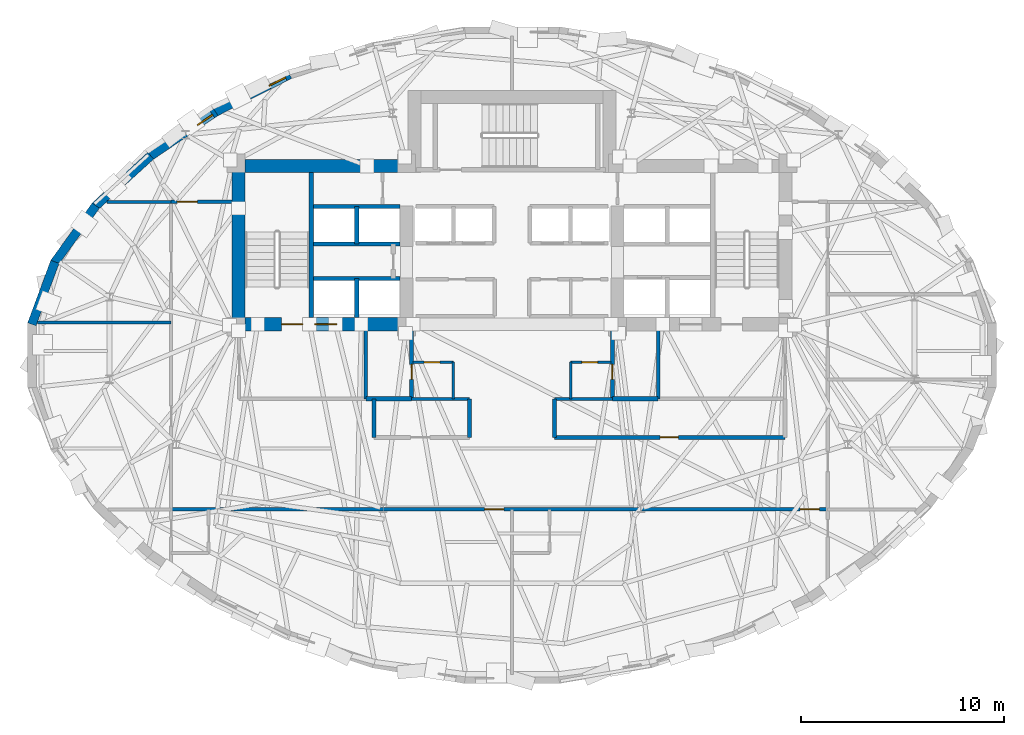
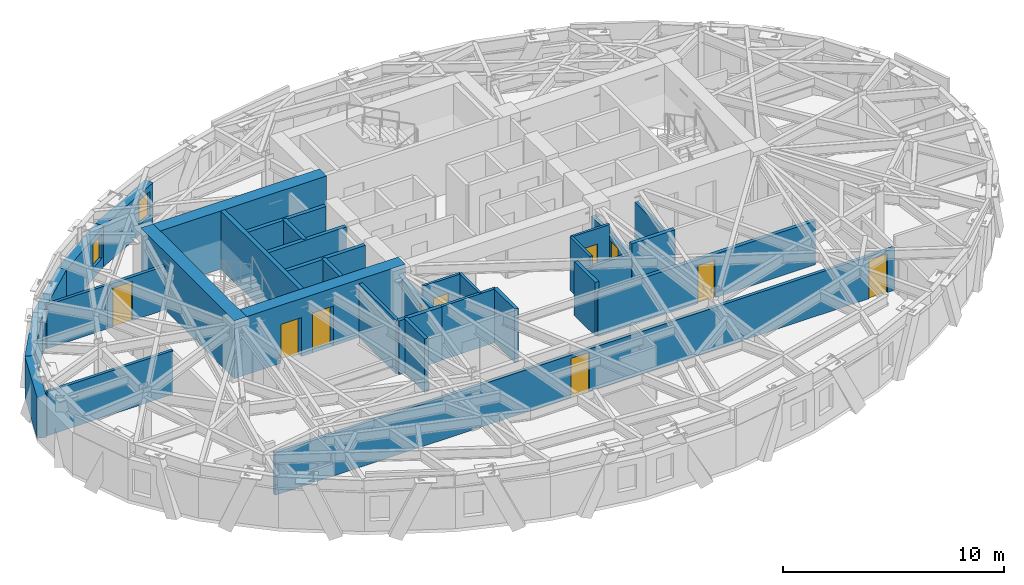
# One storey, part 6 of 12: 34 walls, 10 doors, 2 windows, 12 openings.
"""IFC4 building model written with IfcOpenShell, lengths in metres."""

from ifc_helpers import new_model, si_unit, direction, frame, frame_2d, origin, place, context, subcontext, project, spatial, rectangle, extrude, material, layer, layer_set, type_object, element, fill, save


model = new_model("IFC4")

# Units and contexts
model_context = context("Model", 3, precision=1e-05, world=origin(), true_north=direction((0.0, 1.0)))
body_context = subcontext(model_context, "Body", "Model", "MODEL_VIEW")
ifc_project = project(units=[si_unit("LENGTHUNIT", "METRE"), si_unit("AREAUNIT", "SQUARE_METRE"), si_unit("VOLUMEUNIT", "CUBIC_METRE"), si_unit("PLANEANGLEUNIT", "RADIAN"), si_unit("MASSUNIT", "GRAM", prefix="KILO")], contexts=[model_context])

# Site, building, storey
site_placement = place(None, origin())
site = spatial("IfcSite", under=ifc_project, at=site_placement, CompositionType="ELEMENT")
building_placement = place(site_placement, origin())
building = spatial("IfcBuilding", under=site, at=building_placement, Name="Keldmark Tower", CompositionType="ELEMENT")
storey_placement = place(building_placement, frame((0.0, 0.0, 198.199951171875)))
storey = spatial("IfcBuildingStorey", under=building, at=storey_placement, Name="L55", CompositionType="ELEMENT", Elevation=198.199951171875)

# Walls
ifc_material_1 = material(Name="Heavy Acoustic Plumbing Chase Gypsum Assembly", Category="gypsum")
ifc_layer_1 = layer(ifc_material_1, 0.18994140625)
ifc_layer_set_1 = layer_set([ifc_layer_1], Name="Heavy Acoustic Plumbing Chase Gypsum Assembly")
wall_type_1 = type_object("IfcWallType", Name="Heavy Wet Wall 190 mm", PredefinedType="PLUMBINGWALL", material=ifc_layer_set_1)
for number, where, z_axis, x_axis, name in (
    (1, (-6.800048828125, -4.050048828125, 0.0), (0.0, 0.0, 1.0), (0.0, 1.0, 0.0), "L55 Heavy Wet Wall 190 mm SPK-W-W"),
    (2, (-2.10009765625, -4.050048828125, 0.0), (0.0, 0.0, 1.0), (0.0, 1.0, 0.0), "L55 Heavy Wet Wall 190 mm SPK-W-E"),
):
    element("IfcWall", number, at=place(storey_placement, frame(where, z_axis=z_axis, x_axis=x_axis)), inside=storey, type_object=wall_type_1, Name=name, PredefinedType="PLUMBINGWALL", context=body_context, shape_type="SweptSolid", body=[
        extrude(rectangle(XDim=1.900146484375, YDim=0.18994140625, at=frame_2d((0.9501953125, 0.0))), origin(), (0.0, 0.0, 1.0), 2.9599609375),
    ])

# Wall, opening, door
wall_1_placement = place(storey_placement, frame((2.10009765625, -4.050048828125, 0.0), z_axis=(0.0, 0.0, 1.0), x_axis=(1.0, 0.0, 0.0)))
wall_1 = element("IfcWall", 3, at=wall_1_placement, inside=storey, type_object=wall_type_1, Name="L55 Heavy Wet Wall 190 mm SPK-E-S", PredefinedType="PLUMBINGWALL", context=body_context, shape_type="SweptSolid", body=[
    extrude(rectangle(XDim=11.349853515625, YDim=0.18994140625, at=frame_2d((5.6748046875, 0.0))), origin(), (0.0, 0.0, 1.0), 2.4130859375),
])
opening_1_placement = place(wall_1_placement, frame((5.199951171875, 0.0, 0.0)))
opening_1 = element("IfcOpeningElement", 4, at=opening_1_placement, cuts=wall_1, Name="Opening D-IN090", PredefinedType="OPENING", context=body_context, shape_type="SweptSolid", body=[
    extrude(rectangle(XDim=0.89990234375, YDim=2.10009765625, at=frame_2d((0.449951171875, 1.050048828125))), frame((0.0, 0.10498046875, 0.0), z_axis=(0.0, -1.0, 0.0), x_axis=(1.0, 0.0, 0.0)), (0.0, 0.0, 1.0), 0.2099609375),
])
ifc_material_2 = material(Name="Stained American White Oak Veneer", Category="wood")
door_type_1 = type_object("IfcDoorType", Name="Interior Door 900x2100", OperationType="NOTDEFINED", PredefinedType="DOOR", material=ifc_material_2)
door_1_placement = place(opening_1_placement, origin())
door_1 = element("IfcDoor", 5, at=door_1_placement, inside=storey, type_object=door_type_1, Name="L55 Interior Door 900x2100 D-SPKE1-L55", OperationType="SINGLE_SWING_RIGHT", OverallHeight=2.10009765625, OverallWidth=0.89990234375, PredefinedType="DOOR", context=body_context, shape_type="SweptSolid", body=[
    extrude(rectangle(XDim=0.89990234375, YDim=2.10009765625, at=frame_2d((0.449951171875, 1.050048828125))), frame((0.0, 0.02490234375, 0.0), z_axis=(0.0, -1.0, 0.0), x_axis=(1.0, 0.0, 0.0)), (0.0, 0.0, 1.0), 0.050048828125),
])
fill(opening_1, door_1)

# Wall
wall_2_placement = place(storey_placement, frame((2.10009765625, -4.050048828125, 0.0), z_axis=(0.0, 0.0, 1.0), x_axis=(0.0, 1.0, 0.0)))
element("IfcWall", 6, at=wall_2_placement, inside=storey, type_object=wall_type_1, Name="L55 Heavy Wet Wall 190 mm SPK-E-W", PredefinedType="PLUMBINGWALL", context=body_context, shape_type="SweptSolid", body=[
    extrude(rectangle(XDim=1.900146484375, YDim=0.18994140625, at=frame_2d((0.9501953125, 0.0))), origin(), (0.0, 0.0, 1.0), 2.9599609375),
])

# Wall, opening, door
ifc_material_3 = material(Name="Acoustic Gypsum Board Interior Partition", Category="gypsum")
ifc_layer_2 = layer(ifc_material_3, 0.1298828125)
ifc_layer_set_2 = layer_set([ifc_layer_2], Name="Acoustic Gypsum Board Interior Partition")
wall_type_2 = type_object("IfcWallType", Name="Interior Partition 130 mm", PredefinedType="PARTITIONING", material=ifc_layer_set_2)
wall_3_placement = place(storey_placement, frame((-4.8798828125, -0.35009765625, 0.0), z_axis=(0.0, 0.0, 1.0), x_axis=(1.0, 0.0, 0.0)))
wall_3 = element("IfcWall", 7, at=wall_3_placement, inside=storey, type_object=wall_type_2, Name="L55 Interior Partition 130 mm CSC-W-N", PredefinedType="PARTITIONING", context=body_context, shape_type="SweptSolid", body=[
    extrude(rectangle(XDim=1.989990234375, YDim=0.1298828125, at=frame_2d((0.9951171875, 0.0))), origin(), (0.0, 0.0, 1.0), 2.9599609375),
])
opening_2_placement = place(wall_3_placement, frame((0.550048828125, 0.0, 0.0)))
opening_2 = element("IfcOpeningElement", 8, at=opening_2_placement, cuts=wall_3, Name="Opening D-CL078", PredefinedType="OPENING", context=body_context, shape_type="SweptSolid", body=[
    extrude(rectangle(XDim=0.780029296875, YDim=2.10009765625, at=frame_2d((0.39013671875, 1.050048828125))), frame((0.0, 0.074951171875, 0.0), z_axis=(0.0, -1.0, 0.0), x_axis=(1.0, 0.0, 0.0)), (0.0, 0.0, 1.0), 0.14990234375),
])
ifc_material_4 = material(Name="Flush Utility Closet Timber Door", Category="wood")
door_type_2 = type_object("IfcDoorType", Name="Closet Door 780x2100", OperationType="NOTDEFINED", PredefinedType="DOOR", material=ifc_material_4)
door_2_placement = place(opening_2_placement, origin())
door_2 = element("IfcDoor", 9, at=door_2_placement, inside=storey, type_object=door_type_2, Name="L55 Closet Door 780x2100 D-CSCW1-L55", OperationType="SINGLE_SWING_RIGHT", OverallHeight=2.10009765625, OverallWidth=0.780029296875, PredefinedType="DOOR", context=body_context, shape_type="SweptSolid", body=[
    extrude(rectangle(XDim=0.780029296875, YDim=2.10009765625, at=frame_2d((0.39013671875, 1.050048828125))), frame((0.0, 0.02490234375, 0.0), z_axis=(0.0, -1.0, 0.0), x_axis=(1.0, 0.0, 0.0)), (0.0, 0.0, 1.0), 0.050048828125),
])
fill(opening_2, door_2)

# Wall
wall_4_placement = place(storey_placement, frame((-2.889892578125, -2.14990234375, 0.0), z_axis=(0.0, 0.0, 1.0), x_axis=(0.0, 1.0, 0.0)))
element("IfcWall", 10, at=wall_4_placement, inside=storey, type_object=wall_type_2, Name="L55 Interior Partition 130 mm CSC-W-E", PredefinedType="PARTITIONING", context=body_context, shape_type="SweptSolid", body=[
    extrude(rectangle(XDim=1.7998046875, YDim=0.1298828125, at=frame_2d((0.89990234375, 0.0))), origin(), (0.0, 0.0, 1.0), 2.9599609375),
])

# Wall, opening, door
wall_5_placement = place(storey_placement, frame((2.889892578125, -0.35009765625, 0.0), z_axis=(0.0, 0.0, 1.0), x_axis=(1.0, 0.0, 0.0)))
wall_5 = element("IfcWall", 11, at=wall_5_placement, inside=storey, type_object=wall_type_2, Name="L55 Interior Partition 130 mm CSC-E-N", PredefinedType="PARTITIONING", context=body_context, shape_type="SweptSolid", body=[
    extrude(rectangle(XDim=1.989990234375, YDim=0.1298828125, at=frame_2d((0.9951171875, 0.0))), origin(), (0.0, 0.0, 1.0), 2.9599609375),
])
opening_3_placement = place(wall_5_placement, frame((0.550048828125, 0.0, 0.0)))
opening_3 = element("IfcOpeningElement", 12, at=opening_3_placement, cuts=wall_5, Name="Opening D-CL078", PredefinedType="OPENING", context=body_context, shape_type="SweptSolid", body=[
    extrude(rectangle(XDim=0.780029296875, YDim=2.10009765625, at=frame_2d((0.39013671875, 1.050048828125))), frame((0.0, 0.074951171875, 0.0), z_axis=(0.0, -1.0, 0.0), x_axis=(1.0, 0.0, 0.0)), (0.0, 0.0, 1.0), 0.14990234375),
])
door_3_placement = place(opening_3_placement, origin())
door_3 = element("IfcDoor", 13, at=door_3_placement, inside=storey, type_object=door_type_2, Name="L55 Closet Door 780x2100 D-CSCE1-L55", OperationType="SINGLE_SWING_RIGHT", OverallHeight=2.10009765625, OverallWidth=0.780029296875, PredefinedType="DOOR", context=body_context, shape_type="SweptSolid", body=[
    extrude(rectangle(XDim=0.780029296875, YDim=2.10009765625, at=frame_2d((0.39013671875, 1.050048828125))), frame((0.0, 0.02490234375, 0.0), z_axis=(0.0, -1.0, 0.0), x_axis=(1.0, 0.0, 0.0)), (0.0, 0.0, 1.0), 0.050048828125),
])
fill(opening_3, door_3)

# Walls
wall_6_placement = place(storey_placement, frame((2.889892578125, -2.14990234375, 0.0), z_axis=(0.0, 0.0, 1.0), x_axis=(0.0, 1.0, 0.0)))
element("IfcWall", 14, at=wall_6_placement, inside=storey, type_object=wall_type_2, Name="L55 Interior Partition 130 mm CSC-E-W", PredefinedType="PARTITIONING", context=body_context, shape_type="SweptSolid", body=[
    extrude(rectangle(XDim=1.7998046875, YDim=0.1298828125, at=frame_2d((0.89990234375, 0.0))), origin(), (0.0, 0.0, 1.0), 2.9599609375),
])
ifc_material_5 = material(Name="Type X Fire-Rated Gypsum Partition Assembly", Category="gypsum")
ifc_layer_3 = layer(ifc_material_5, 0.1650390625)
ifc_layer_set_3 = layer_set([ifc_layer_3], Name="Type X Fire-Rated Gypsum Partition Assembly")
wall_type_3 = type_object("IfcWallType", Name="Rated Partition 165 mm", PredefinedType="PARTITIONING", material=ifc_layer_set_3)
wall_7_placement = place(storey_placement, frame((-7.199951171875, -2.14990234375, 0.0), z_axis=(0.0, 0.0, 1.0), x_axis=(0.0, 1.0, 0.0)))
element("IfcWall", 15, at=wall_7_placement, inside=storey, type_object=wall_type_3, Name="L55 Rated Partition 165 mm FSAE-W-E", PredefinedType="PARTITIONING", context=body_context, shape_type="SweptSolid", body=[
    extrude(rectangle(XDim=3.39990234375, YDim=0.1650390625, at=frame_2d((1.699951171875, 0.0))), origin(), (0.0, 0.0, 1.0), 2.9599609375),
])
wall_8_placement = place(storey_placement, frame((7.199951171875, -2.14990234375, 0.0), z_axis=(0.0, 0.0, 1.0), x_axis=(0.0, 1.0, 0.0)))
element("IfcWall", 16, at=wall_8_placement, inside=storey, type_object=wall_type_3, Name="L55 Rated Partition 165 mm FSAE-E-W", PredefinedType="PARTITIONING", context=body_context, shape_type="SweptSolid", body=[
    extrude(rectangle(XDim=3.39990234375, YDim=0.1650390625, at=frame_2d((1.699951171875, 0.0))), origin(), (0.0, 0.0, 1.0), 2.4130859375),
])

# Wall, openings, doors
wall_9_placement = place(storey_placement, frame((-16.800048828125, -7.60009765625, 0.0), z_axis=(0.0, 0.0, 1.0), x_axis=(1.0, 0.0, 0.0)))
wall_9 = element("IfcWall", 17, at=wall_9_placement, inside=storey, type_object=wall_type_3, Name="L55 Rated Partition 165 mm HCOR-S", PredefinedType="PARTITIONING", context=body_context, shape_type="SweptSolid", body=[
    extrude(rectangle(XDim=32.35009765625, YDim=0.1650390625, at=frame_2d((16.175048828125, 0.0))), origin(), (0.0, 0.0, 1.0), 2.338134765625),
])
opening_4_placement = place(wall_9_placement, frame((15.449951171875, 0.0, 0.0)))
opening_4 = element("IfcOpeningElement", 18, at=opening_4_placement, cuts=wall_9, Name="Opening D-HT095", PredefinedType="OPENING", context=body_context, shape_type="SweptSolid", body=[
    extrude(rectangle(XDim=0.949951171875, YDim=2.14990234375, at=frame_2d((0.47509765625, 1.074951171875))), frame((0.0, 0.092529296875, 0.0), z_axis=(0.0, -1.0, 0.0), x_axis=(1.0, 0.0, 0.0)), (0.0, 0.0, 1.0), 0.18505859375),
])
opening_5_placement = place(wall_9_placement, frame((31.0, 0.0, 0.0)))
opening_5 = element("IfcOpeningElement", 19, at=opening_5_placement, cuts=wall_9, Name="Opening D-HT095", PredefinedType="OPENING", context=body_context, shape_type="SweptSolid", body=[
    extrude(rectangle(XDim=0.949951171875, YDim=2.14990234375, at=frame_2d((0.47509765625, 1.074951171875))), frame((0.0, 0.092529296875, 0.0), z_axis=(0.0, -1.0, 0.0), x_axis=(1.0, 0.0, 0.0)), (0.0, 0.0, 1.0), 0.18505859375),
])
ifc_material_6 = material(Name="Solid-Core Acoustic White Oak Fire-Rated Assembly", Category="wood")
door_type_3 = type_object("IfcDoorType", Name="Hotel Entry Door 950x2150", OperationType="NOTDEFINED", PredefinedType="DOOR", material=ifc_material_6)
door_4_placement = place(opening_4_placement, origin())
door_4 = element("IfcDoor", 20, at=door_4_placement, inside=storey, type_object=door_type_3, Name="L55 Hotel Entry Door 950x2150 D-HRS1-L55", OperationType="SINGLE_SWING_RIGHT", OverallHeight=2.14990234375, OverallWidth=0.949951171875, PredefinedType="DOOR", context=body_context, shape_type="SweptSolid", body=[
    extrude(rectangle(XDim=0.949951171875, YDim=2.14990234375, at=frame_2d((0.47509765625, 1.074951171875))), frame((0.0, 0.02490234375, 0.0), z_axis=(0.0, -1.0, 0.0), x_axis=(1.0, 0.0, 0.0)), (0.0, 0.0, 1.0), 0.050048828125),
])
fill(opening_4, door_4)
door_5_placement = place(opening_5_placement, origin())
door_5 = element("IfcDoor", 21, at=door_5_placement, inside=storey, type_object=door_type_3, Name="L55 Hotel Entry Door 950x2150 D-HRS2-L55", OperationType="SINGLE_SWING_LEFT", OverallHeight=2.14990234375, OverallWidth=0.949951171875, PredefinedType="DOOR", context=body_context, shape_type="SweptSolid", body=[
    extrude(rectangle(XDim=0.949951171875, YDim=2.14990234375, at=frame_2d((0.47509765625, 1.074951171875))), frame((0.0, 0.02490234375, 0.0), z_axis=(0.0, -1.0, 0.0), x_axis=(1.0, 0.0, 0.0)), (0.0, 0.0, 1.0), 0.050048828125),
])
fill(opening_5, door_5)

# Wall, opening, door
wall_10_placement = place(storey_placement, frame((-16.800048828125, 7.550048828125, 0.0), z_axis=(0.0, 0.0, 1.0), x_axis=(1.0, 0.0, 0.0)))
wall_10 = element("IfcWall", 22, at=wall_10_placement, inside=storey, type_object=wall_type_3, Name="L55 Rated Partition 165 mm HCOR-WN", PredefinedType="PARTITIONING", context=body_context, shape_type="SweptSolid", body=[
    extrude(rectangle(XDim=3.0, YDim=0.1650390625, at=frame_2d((1.5, 0.0))), origin(), (0.0, 0.0, 1.0), 2.4130859375),
])
opening_6_placement = place(wall_10_placement, frame((0.300048828125, 0.0, 0.0)))
opening_6 = element("IfcOpeningElement", 23, at=opening_6_placement, cuts=wall_10, Name="Opening D-FD100", PredefinedType="OPENING", context=body_context, shape_type="SweptSolid", body=[
    extrude(rectangle(XDim=1.0, YDim=2.14990234375, at=frame_2d((0.5, 1.074951171875))), frame((0.0, 0.092529296875, 0.0), z_axis=(0.0, -1.0, 0.0), x_axis=(1.0, 0.0, 0.0)), (0.0, 0.0, 1.0), 0.18505859375),
])
ifc_material_7 = material(Name="Hollow Metal Fire-Rated Corridor Door", Category="metal")
door_type_4 = type_object("IfcDoorType", Name="Fire Door 1000x2150", OperationType="NOTDEFINED", PredefinedType="DOOR", material=ifc_material_7)
door_6_placement = place(opening_6_placement, origin())
door_6 = element("IfcDoor", 24, at=door_6_placement, inside=storey, type_object=door_type_4, Name="L55 Fire Door 1000x2150 D-HNNW-L55", OperationType="SINGLE_SWING_LEFT", OverallHeight=2.14990234375, OverallWidth=1.0, PredefinedType="DOOR", context=body_context, shape_type="SweptSolid", body=[
    extrude(rectangle(XDim=1.0, YDim=2.14990234375, at=frame_2d((0.5, 1.074951171875))), frame((0.0, 0.02490234375, 0.0), z_axis=(0.0, -1.0, 0.0), x_axis=(1.0, 0.0, 0.0)), (0.0, 0.0, 1.0), 0.050048828125),
])
fill(opening_6, door_6)

# Wall
ifc_material_8 = material(Name="Fire-Resistant Type X Gypsum Shaftliner Coreboard", Category="gypsum")
ifc_layer_4 = layer(ifc_material_8, 0.199951171875)
ifc_layer_set_4 = layer_set([ifc_layer_4], Name="Fire-Resistant Type X Gypsum Shaftliner Coreboard")
wall_type_4 = type_object("IfcWallType", Name="Shaft Wall 200 mm", PredefinedType="SOLIDWALL", material=ifc_layer_set_4)
wall_11_placement = place(storey_placement, frame((-7.199951171875, -2.14990234375, 0.0), z_axis=(0.0, 0.0, 1.0), x_axis=(1.0, 0.0, 0.0)))
element("IfcWall", 25, at=wall_11_placement, inside=storey, type_object=wall_type_4, Name="L55 Shaft Wall 200 mm RIS-SW-S", PredefinedType="SOLIDWALL", context=body_context, shape_type="SweptSolid", body=[
    extrude(rectangle(XDim=2.25, YDim=0.199951171875, at=frame_2d((1.125, 0.0))), origin(), (0.0, 0.0, 1.0), 2.9599609375),
])

# Wall, opening, door
wall_12_placement = place(storey_placement, frame((-4.949951171875, -2.14990234375, 0.0), z_axis=(0.0, 0.0, 1.0), x_axis=(0.0, 1.0, 0.0)))
wall_12 = element("IfcWall", 26, at=wall_12_placement, inside=storey, type_object=wall_type_4, Name="L55 Shaft Wall 200 mm RIS-SW-E", PredefinedType="SOLIDWALL", context=body_context, shape_type="SweptSolid", body=[
    extrude(rectangle(XDim=3.39990234375, YDim=0.199951171875, at=frame_2d((1.699951171875, 0.0))), origin(), (0.0, 0.0, 1.0), 2.4130859375),
])
opening_7_placement = place(wall_12_placement, frame((0.949951171875, 0.0, 0.0)))
opening_7 = element("IfcOpeningElement", 27, at=opening_7_placement, cuts=wall_12, Name="Opening D-RS075", PredefinedType="OPENING", context=body_context, shape_type="SweptSolid", body=[
    extrude(rectangle(XDim=0.75, YDim=2.10009765625, at=frame_2d((0.375, 1.050048828125))), frame((0.0, 0.10986328125, 0.0), z_axis=(0.0, -1.0, 0.0), x_axis=(1.0, 0.0, 0.0)), (0.0, 0.0, 1.0), 0.219970703125),
])
ifc_material_9 = material(Name="Galvanized Fire-Rated Access Leaf", Category="metal")
door_type_5 = type_object("IfcDoorType", Name="Riser Access Door 750x2100", OperationType="NOTDEFINED", PredefinedType="DOOR", material=ifc_material_9)
door_7_placement = place(opening_7_placement, origin())
door_7 = element("IfcDoor", 28, at=door_7_placement, inside=storey, type_object=door_type_5, Name="L55 Riser Access Door 750x2100 D-RISSW-L55", OperationType="SINGLE_SWING_RIGHT", OverallHeight=2.10009765625, OverallWidth=0.75, PredefinedType="DOOR", context=body_context, shape_type="SweptSolid", body=[
    extrude(rectangle(XDim=0.75, YDim=2.10009765625, at=frame_2d((0.375, 1.050048828125))), frame((0.0, 0.02490234375, 0.0), z_axis=(0.0, -1.0, 0.0), x_axis=(1.0, 0.0, 0.0)), (0.0, 0.0, 1.0), 0.050048828125),
])
fill(opening_7, door_7)

# Wall
wall_13_placement = place(storey_placement, frame((4.949951171875, -2.14990234375, 0.0), z_axis=(0.0, 0.0, 1.0), x_axis=(1.0, 0.0, 0.0)))
element("IfcWall", 29, at=wall_13_placement, inside=storey, type_object=wall_type_4, Name="L55 Shaft Wall 200 mm RIS-SE-S", PredefinedType="SOLIDWALL", context=body_context, shape_type="SweptSolid", body=[
    extrude(rectangle(XDim=2.25, YDim=0.199951171875, at=frame_2d((1.125, 0.0))), origin(), (0.0, 0.0, 1.0), 2.9599609375),
])

# Wall, opening, door
wall_14_placement = place(storey_placement, frame((4.949951171875, -2.14990234375, 0.0), z_axis=(0.0, 0.0, 1.0), x_axis=(0.0, 1.0, 0.0)))
wall_14 = element("IfcWall", 30, at=wall_14_placement, inside=storey, type_object=wall_type_4, Name="L55 Shaft Wall 200 mm RIS-SE-W", PredefinedType="SOLIDWALL", context=body_context, shape_type="SweptSolid", body=[
    extrude(rectangle(XDim=3.39990234375, YDim=0.199951171875, at=frame_2d((1.699951171875, 0.0))), origin(), (0.0, 0.0, 1.0), 2.4130859375),
])
opening_8_placement = place(wall_14_placement, frame((0.949951171875, 0.0, 0.0)))
opening_8 = element("IfcOpeningElement", 31, at=opening_8_placement, cuts=wall_14, Name="Opening D-RS075", PredefinedType="OPENING", context=body_context, shape_type="SweptSolid", body=[
    extrude(rectangle(XDim=0.75, YDim=2.10009765625, at=frame_2d((0.375, 1.050048828125))), frame((0.0, 0.10986328125, 0.0), z_axis=(0.0, -1.0, 0.0), x_axis=(1.0, 0.0, 0.0)), (0.0, 0.0, 1.0), 0.219970703125),
])
door_8_placement = place(opening_8_placement, origin())
door_8 = element("IfcDoor", 32, at=door_8_placement, inside=storey, type_object=door_type_5, Name="L55 Riser Access Door 750x2100 D-RISSE-L55", OperationType="SINGLE_SWING_LEFT", OverallHeight=2.10009765625, OverallWidth=0.75, PredefinedType="DOOR", context=body_context, shape_type="SweptSolid", body=[
    extrude(rectangle(XDim=0.75, YDim=2.10009765625, at=frame_2d((0.375, 1.050048828125))), frame((0.0, 0.02490234375, 0.0), z_axis=(0.0, -1.0, 0.0), x_axis=(1.0, 0.0, 0.0)), (0.0, 0.0, 1.0), 0.050048828125),
])
fill(opening_8, door_8)

# Walls
wall_15_placement = place(storey_placement, frame((-9.780029296875, 3.780029296875, 0.0), z_axis=(0.0, 0.0, 1.0), x_axis=(1.0, 0.0, 0.0)))
element("IfcWall", 33, at=wall_15_placement, inside=storey, type_object=wall_type_4, Name="L55 Shaft Wall 200 mm HW-W-S", PredefinedType="SOLIDWALL", context=body_context, shape_type="SweptSolid", body=[
    extrude(rectangle(XDim=4.255126953125, YDim=0.199951171875, at=frame_2d((2.12744140625, 0.0))), origin(), (0.0, 0.0, 1.0), 2.9599609375),
])
wall_16_placement = place(storey_placement, frame((-7.64990234375, 1.85009765625, 0.0), z_axis=(0.0, 0.0, 1.0), x_axis=(0.0, 1.0, 0.0)))
element("IfcWall", 34, at=wall_16_placement, inside=storey, type_object=wall_type_4, Name="L55 Shaft Wall 200 mm HW-W-M", PredefinedType="SOLIDWALL", context=body_context, shape_type="SweptSolid", body=[
    extrude(rectangle(XDim=1.929931640625, YDim=0.199951171875, at=frame_2d((0.96484375, 0.0))), origin(), (0.0, 0.0, 1.0), 2.9599609375),
])
for number, where, z_axis, x_axis, name in (
    (35, (-9.780029296875, 5.469970703125, 0.0), (0.0, 0.0, 1.0), (1.0, 0.0, 0.0), "L55 Shaft Wall 200 mm HW-W-N"),
    (36, (-9.780029296875, 7.330078125, 0.0), (0.0, 0.0, 1.0), (1.0, 0.0, 0.0), "L55 Shaft Wall 200 mm HW-W-TOP"),
):
    element("IfcWall", number, at=place(storey_placement, frame(where, z_axis=z_axis, x_axis=x_axis)), inside=storey, type_object=wall_type_4, Name=name, PredefinedType="SOLIDWALL", context=body_context, shape_type="SweptSolid", body=[
        extrude(rectangle(XDim=4.255126953125, YDim=0.199951171875, at=frame_2d((2.12744140625, 0.0))), origin(), (0.0, 0.0, 1.0), 2.9599609375),
    ])
wall_17_placement = place(storey_placement, frame((-7.64990234375, 5.469970703125, 0.0), z_axis=(0.0, 0.0, 1.0), x_axis=(0.0, 1.0, 0.0)))
element("IfcWall", 37, at=wall_17_placement, inside=storey, type_object=wall_type_4, Name="L55 Shaft Wall 200 mm HW-W-NM", PredefinedType="SOLIDWALL", context=body_context, shape_type="SweptSolid", body=[
    extrude(rectangle(XDim=1.860107421875, YDim=0.199951171875, at=frame_2d((0.93017578125, 0.0))), origin(), (0.0, 0.0, 1.0), 2.9599609375),
])
ifc_material_10 = material(Name="Concrete C50/60", Category="concrete")
ifc_layer_5 = layer(ifc_material_10, 0.219970703125)
ifc_layer_set_5 = layer_set([ifc_layer_5], Name="Concrete C50/60")
wall_type_5 = type_object("IfcWallType", Name="Stair Core Shear Wall 220 mm", PredefinedType="SHEAR", material=ifc_layer_set_5)
wall_18_placement = place(storey_placement, frame((-9.889892578125, 1.85009765625, 0.0), z_axis=(0.0, 0.0, 1.0), x_axis=(0.0, 1.0, 0.0)))
element("IfcWall", 38, at=wall_18_placement, inside=storey, type_object=wall_type_5, Name="L55 West Stair Core Shear Wall", PredefinedType="SHEAR", context=body_context, shape_type="SweptSolid", body=[
    extrude(rectangle(XDim=7.14990234375, YDim=0.219970703125, at=frame_2d((3.574951171875, 0.0))), origin(), (0.0, 0.0, 1.0), 3.199951171875),
])

# Wall, opening, window
ifc_material_11 = material(Name="Ironspot Manganese Brick and Kasota Buff Limestone Spandrel Assembly", Category="masonry")
ifc_layer_6 = layer(ifc_material_11, 0.43994140625)
ifc_layer_set_6 = layer_set([ifc_layer_6], Name="Ironspot Manganese Brick and Kasota Buff Limestone Spandrel Assembly")
wall_type_6 = type_object("IfcWallType", Name="Tower Brick Pier and Spandrel Wall 440 mm", PredefinedType="STANDARD", material=ifc_layer_set_6)
wall_19_placement = place(storey_placement, frame((-14.6318359375, 11.972900390625, 0.0), z_axis=(0.0, 0.0, 1.0), x_axis=(0.892939479035, 0.450176728387, 0.0)))
wall_19 = element("IfcWall", 39, at=wall_19_placement, inside=storey, type_object=wall_type_6, Name="L55 Exterior Brick and Spandrel Wall 11", PredefinedType="STANDARD", context=body_context, shape_type="SweptSolid", body=[
    extrude(rectangle(XDim=4.1162109375, YDim=0.43994140625, at=frame_2d((2.05810546875, 0.0))), origin(), (0.0, 0.0, 1.0), 2.255126953125),
])
opening_9_placement = place(wall_19_placement, frame((2.966796875, 0.0, 0.580078125)))
opening_9 = element("IfcOpeningElement", 40, at=opening_9_placement, cuts=wall_19, Name="Opening W-09", PredefinedType="OPENING", context=body_context, shape_type="SweptSolid", body=[
    extrude(rectangle(XDim=0.89990234375, YDim=1.35009765625, at=frame_2d((0.449951171875, 0.675048828125))), frame((0.0, 0.22998046875, 0.0), z_axis=(0.0, -1.0, 0.0), x_axis=(1.0, 0.0, 0.0)), (0.0, 0.0, 1.0), 0.4599609375),
])
ifc_material_12 = material(Name="Thermally Broken Anodized Aluminum and Triple Low-E Argon Glazing", Category="aluminium")
window_type = type_object("IfcWindowType", Name="Corner Pier Deep-Set Window 900x1350", PartitioningType="SINGLE_PANEL", PredefinedType="WINDOW", material=ifc_material_12)
window_1_placement = place(opening_9_placement, origin())
window_1 = element("IfcWindow", 41, at=window_1_placement, inside=storey, type_object=window_type, Name="L55 Deep-Set Window 11", OverallHeight=1.35009765625, OverallWidth=0.89990234375, PartitioningType="SINGLE_PANEL", PredefinedType="WINDOW", context=body_context, shape_type="SweptSolid", body=[
    extrude(rectangle(XDim=0.89990234375, YDim=1.35009765625, at=frame_2d((0.449951171875, 0.675048828125))), frame((0.0, -0.010009765625, 0.0), z_axis=(0.0, -1.0, 0.0), x_axis=(1.0, 0.0, 0.0)), (0.0, 0.0, 1.0), 0.06005859375),
])
fill(opening_9, window_1)

wall_20_placement = place(storey_placement, frame((-17.825927734375, 9.804931640625, 0.0), z_axis=(0.0, 0.0, 1.0), x_axis=(0.827697624009, 0.561174342972, 0.0)))
wall_20 = element("IfcWall", 42, at=wall_20_placement, inside=storey, type_object=wall_type_6, Name="L55 Exterior Brick and Spandrel Wall 12", PredefinedType="STANDARD", context=body_context, shape_type="SweptSolid", body=[
    extrude(rectangle(XDim=3.888427734375, YDim=0.43994140625, at=frame_2d((1.9443359375, 0.0))), origin(), (0.0, 0.0, 1.0), 2.255126953125),
])
opening_10_placement = place(wall_20_placement, frame((2.788818359375, 0.0, 0.580078125)))
opening_10 = element("IfcOpeningElement", 43, at=opening_10_placement, cuts=wall_20, Name="Opening W-09", PredefinedType="OPENING", context=body_context, shape_type="SweptSolid", body=[
    extrude(rectangle(XDim=0.89990234375, YDim=1.35009765625, at=frame_2d((0.449951171875, 0.675048828125))), frame((0.0, 0.22998046875, 0.0), z_axis=(0.0, -1.0, 0.0), x_axis=(1.0, 0.0, 0.0)), (0.0, 0.0, 1.0), 0.4599609375),
])
window_2_placement = place(opening_10_placement, origin())
window_2 = element("IfcWindow", 44, at=window_2_placement, inside=storey, type_object=window_type, Name="L55 Deep-Set Window 12", OverallHeight=1.35009765625, OverallWidth=0.89990234375, PartitioningType="SINGLE_PANEL", PredefinedType="WINDOW", context=body_context, shape_type="SweptSolid", body=[
    extrude(rectangle(XDim=0.89990234375, YDim=1.35009765625, at=frame_2d((0.449951171875, 0.675048828125))), frame((0.0, -0.010009765625, 0.0), z_axis=(0.0, -1.0, 0.0), x_axis=(1.0, 0.0, 0.0)), (0.0, 0.0, 1.0), 0.06005859375),
])
fill(opening_10, window_2)

# Walls
wall_21_placement = place(storey_placement, frame((-20.53466796875, 7.33251953125, 0.0), z_axis=(0.0, 0.0, 1.0), x_axis=(0.738992571182, 0.67371357396, 0.0)))
element("IfcWall", 45, at=wall_21_placement, inside=storey, type_object=wall_type_6, Name="L55 Exterior Brick and Spandrel Wall 13", PredefinedType="STANDARD", context=body_context, shape_type="SweptSolid", body=[
    extrude(rectangle(XDim=3.69873046875, YDim=0.43994140625, at=frame_2d((1.849365234375, 0.0))), origin(), (0.0, 0.0, 1.0), 2.255126953125),
])
wall_22_placement = place(storey_placement, frame((-22.547119140625, 4.544677734375, 0.0), z_axis=(0.0, 0.0, 1.0), x_axis=(0.586378206793, 0.810037405678, 0.0)))
element("IfcWall", 46, at=wall_22_placement, inside=storey, type_object=wall_type_6, Name="L55 Exterior Brick and Spandrel Wall 14", PredefinedType="STANDARD", context=body_context, shape_type="SweptSolid", body=[
    extrude(rectangle(XDim=3.483154296875, YDim=0.43994140625, at=frame_2d((1.74169921875, 0.0))), origin(), (0.0, 0.0, 1.0), 2.255126953125),
])
wall_23_placement = place(storey_placement, frame((-23.657958984375, 1.51708984375, 0.0), z_axis=(0.0, 0.0, 1.0), x_axis=(0.346793746495, 0.937941414691, 0.0)))
element("IfcWall", 47, at=wall_23_placement, inside=storey, type_object=wall_type_6, Name="L55 Exterior Brick and Spandrel Wall 15", PredefinedType="STANDARD", context=body_context, shape_type="SweptSolid", body=[
    extrude(rectangle(XDim=3.2841796875, YDim=0.43994140625, at=frame_2d((1.64208984375, 0.0))), origin(), (0.0, 0.0, 1.0), 2.255126953125),
])
ifc_material_13 = material(Name="Concrete C50/60", Category="concrete")
ifc_layer_7 = layer(ifc_material_13, 0.64990234375)
ifc_layer_set_7 = layer_set([ifc_layer_7], Name="Concrete C50/60")
wall_type_7 = type_object("IfcWallType", Name="Upper-Mid Core Shear Wall 650 mm", PredefinedType="SHEAR", material=ifc_layer_set_7)
wall_24_placement = place(storey_placement, frame((-13.47509765625, 1.199951171875, 0.0), z_axis=(0.0, 0.0, 1.0), x_axis=(0.0, 1.0, 0.0)))
element("IfcWall", 48, at=wall_24_placement, inside=storey, type_object=wall_type_7, Name="L55 West Core Outer Shear Wall", PredefinedType="SHEAR", context=body_context, shape_type="SweptSolid", body=[
    extrude(rectangle(XDim=8.449951171875, YDim=0.64990234375, at=frame_2d((4.22509765625, 0.0))), origin(), (0.0, 0.0, 1.0), 3.199951171875),
])
wall_25_placement = place(storey_placement, frame((-13.800048828125, 9.324951171875, 0.0), z_axis=(0.0, 0.0, 1.0), x_axis=(1.0, 0.0, 0.0)))
element("IfcWall", 49, at=wall_25_placement, inside=storey, type_object=wall_type_7, Name="L55 West Core North Shear Wall", PredefinedType="SHEAR", context=body_context, shape_type="SweptSolid", body=[
    extrude(rectangle(XDim=9.324951171875, YDim=0.64990234375, at=frame_2d((4.66259765625, 0.0))), origin(), (0.0, 0.0, 1.0), 3.199951171875),
])

# Wall, openings, doors
wall_26_placement = place(storey_placement, frame((-4.875, 1.52490234375, 0.0), z_axis=(0.0, 0.0, 1.0), x_axis=(-1.0, 0.0, 0.0)))
wall_26 = element("IfcWall", 50, at=wall_26_placement, inside=storey, type_object=wall_type_7, Name="L55 West Core South Shear Wall", PredefinedType="SHEAR", context=body_context, shape_type="SweptSolid", body=[
    extrude(rectangle(XDim=8.925048828125, YDim=0.64990234375, at=frame_2d((4.46240234375, 0.0))), origin(), (0.0, 0.0, 1.0), 3.199951171875),
])
opening_11_placement = place(wall_26_placement, frame((5.425048828125, 0.0, 0.0)))
opening_11 = element("IfcOpeningElement", 51, at=opening_11_placement, cuts=wall_26, Name="Opening D-ST105", PredefinedType="OPENING", context=body_context, shape_type="SweptSolid", body=[
    extrude(rectangle(XDim=1.050048828125, YDim=2.14990234375, at=frame_2d((0.52490234375, 1.074951171875))), frame((0.0, 0.3349609375, 0.0), z_axis=(0.0, -1.0, 0.0), x_axis=(1.0, 0.0, 0.0)), (0.0, 0.0, 1.0), 0.669921875),
])
opening_12_placement = place(wall_26_placement, frame((3.7548828125, 0.0, 0.0)))
opening_12 = element("IfcOpeningElement", 52, at=opening_12_placement, cuts=wall_26, Name="Opening LD-110", PredefinedType="OPENING", context=body_context, shape_type="SweptSolid", body=[
    extrude(rectangle(XDim=1.10009765625, YDim=2.199951171875, at=frame_2d((0.550048828125, 1.10009765625))), frame((0.0, 0.3349609375, 0.0), z_axis=(0.0, -1.0, 0.0), x_axis=(1.0, 0.0, 0.0)), (0.0, 0.0, 1.0), 0.669921875),
])
ifc_material_14 = material(Name="Brushed Bronze Hoistway Sliding Leaf", Category="metal")
door_type_6 = type_object("IfcDoorType", Name="Lift Landing Sliding Door 1100x2200", OperationType="SLIDING_TO_LEFT", PredefinedType="DOOR", material=ifc_material_14)
door_9_placement = place(opening_12_placement, origin())
door_9 = element("IfcDoor", 53, at=door_9_placement, inside=storey, type_object=door_type_6, Name="L55 Lift Landing Sliding Door 1100x2200 LD-EL-FS1-L55", OperationType="SLIDING_TO_LEFT", OverallHeight=2.199951171875, OverallWidth=1.10009765625, PredefinedType="DOOR", context=body_context, shape_type="SweptSolid", body=[
    extrude(rectangle(XDim=1.10009765625, YDim=2.199951171875, at=frame_2d((0.550048828125, 1.10009765625))), frame((0.0, 0.02490234375, 0.0), z_axis=(0.0, -1.0, 0.0), x_axis=(1.0, 0.0, 0.0)), (0.0, 0.0, 1.0), 0.050048828125),
])
fill(opening_12, door_9)
ifc_material_15 = material(Name="Hollow Metal Fire-Rated Door Assembly", Category="metal")
door_type_7 = type_object("IfcDoorType", Name="Stair Fire Door 1050x2150", OperationType="NOTDEFINED", PredefinedType="DOOR", material=ifc_material_15)
door_10_placement = place(opening_11_placement, origin())
door_10 = element("IfcDoor", 54, at=door_10_placement, inside=storey, type_object=door_type_7, Name="L55 Stair Fire Door 1050x2150 D-ST1-L55", OperationType="SINGLE_SWING_RIGHT", OverallHeight=2.14990234375, OverallWidth=1.050048828125, PredefinedType="DOOR", context=body_context, shape_type="SweptSolid", body=[
    extrude(rectangle(XDim=1.050048828125, YDim=2.14990234375, at=frame_2d((0.52490234375, 1.074951171875))), frame((0.0, 0.02490234375, 0.0), z_axis=(0.0, -1.0, 0.0), x_axis=(1.0, 0.0, 0.0)), (0.0, 0.0, 1.0), 0.050048828125),
])
fill(opening_11, door_10)

# Walls
ifc_material_16 = material(Name="Moisture-Resistant Gypsum Plumbing Partition", Category="gypsum")
ifc_layer_8 = layer(ifc_material_16, 0.14990234375)
ifc_layer_set_8 = layer_set([ifc_layer_8], Name="Moisture-Resistant Gypsum Plumbing Partition")
wall_type_8 = type_object("IfcWallType", Name="Wet Wall 150 mm", PredefinedType="PLUMBINGWALL", material=ifc_layer_set_8)
wall_27_placement = place(storey_placement, frame((-4.949951171875, -2.14990234375, 0.0), z_axis=(0.0, 0.0, 1.0), x_axis=(1.0, 0.0, 0.0)))
element("IfcWall", 55, at=wall_27_placement, inside=storey, type_object=wall_type_8, Name="L55 Wet Wall 150 mm SPK-W-N", PredefinedType="PLUMBINGWALL", context=body_context, shape_type="SweptSolid", body=[
    extrude(rectangle(XDim=2.849853515625, YDim=0.14990234375, at=frame_2d((1.4248046875, 0.0))), origin(), (0.0, 0.0, 1.0), 2.9599609375),
])
wall_28_placement = place(storey_placement, frame((2.10009765625, -2.14990234375, 0.0), z_axis=(0.0, 0.0, 1.0), x_axis=(1.0, 0.0, 0.0)))
element("IfcWall", 56, at=wall_28_placement, inside=storey, type_object=wall_type_8, Name="L55 Wet Wall 150 mm SPK-E-N", PredefinedType="PLUMBINGWALL", context=body_context, shape_type="SweptSolid", body=[
    extrude(rectangle(XDim=2.849853515625, YDim=0.14990234375, at=frame_2d((1.4248046875, 0.0))), origin(), (0.0, 0.0, 1.0), 2.4130859375),
])
wall_29_placement = place(storey_placement, frame((-19.957763671875, 7.550048828125, 0.0), z_axis=(0.0, 0.0, 1.0), x_axis=(1.0, 0.0, 0.0)))
element("IfcWall", 57, at=wall_29_placement, inside=storey, type_object=wall_type_8, Name="L55 Wet Wall 150 mm HW-CAP-N", PredefinedType="PLUMBINGWALL", context=body_context, shape_type="SweptSolid", body=[
    extrude(rectangle(XDim=3.15771484375, YDim=0.14990234375, at=frame_2d((1.578857421875, 0.0))), origin(), (0.0, 0.0, 1.0), 2.4130859375),
])
wall_30_placement = place(storey_placement, frame((-23.38427734375, 1.60009765625, 0.0), z_axis=(0.0, 0.0, 1.0), x_axis=(1.0, 0.0, 0.0)))
element("IfcWall", 58, at=wall_30_placement, inside=storey, type_object=wall_type_8, Name="L55 Wet Wall 150 mm HW-DIV-1", PredefinedType="PLUMBINGWALL", context=body_context, shape_type="SweptSolid", body=[
    extrude(rectangle(XDim=6.584228515625, YDim=0.14990234375, at=frame_2d((3.2919921875, 0.0))), origin(), (0.0, 0.0, 1.0), 2.4130859375),
])

save(model, "model.ifc")
